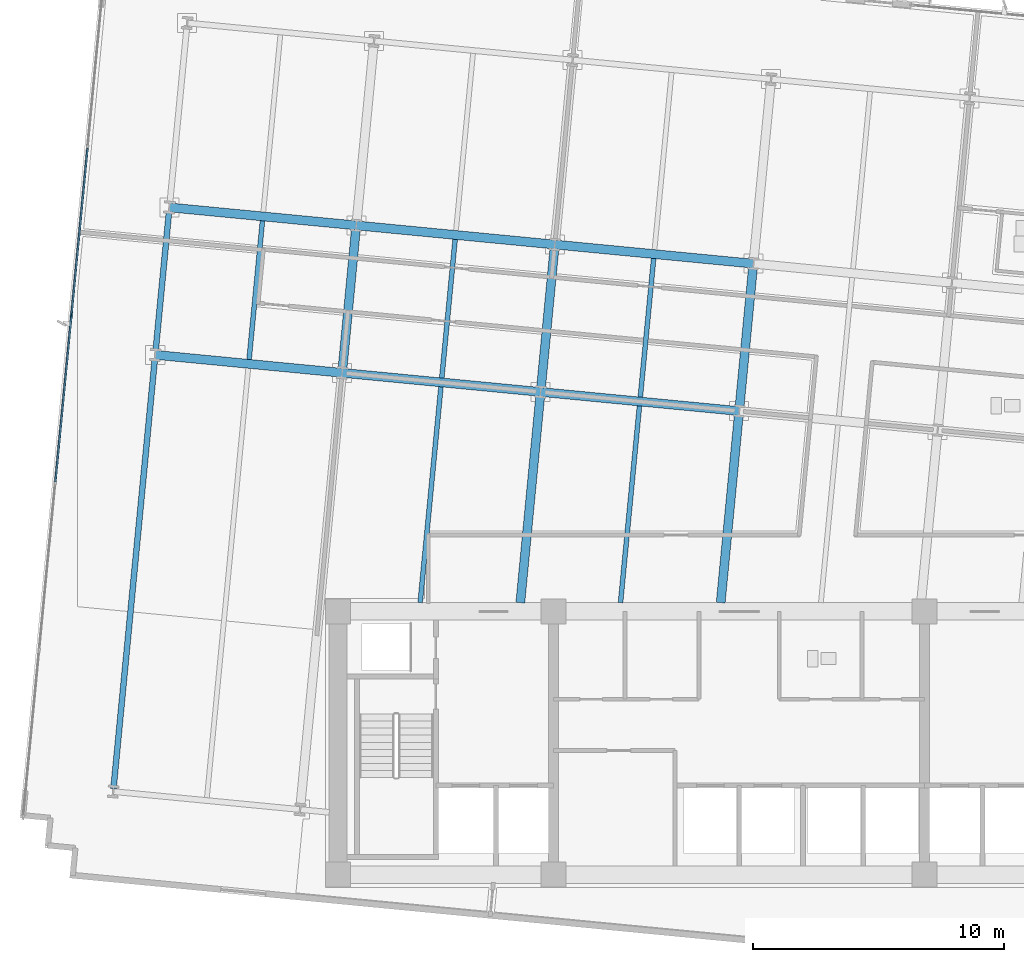
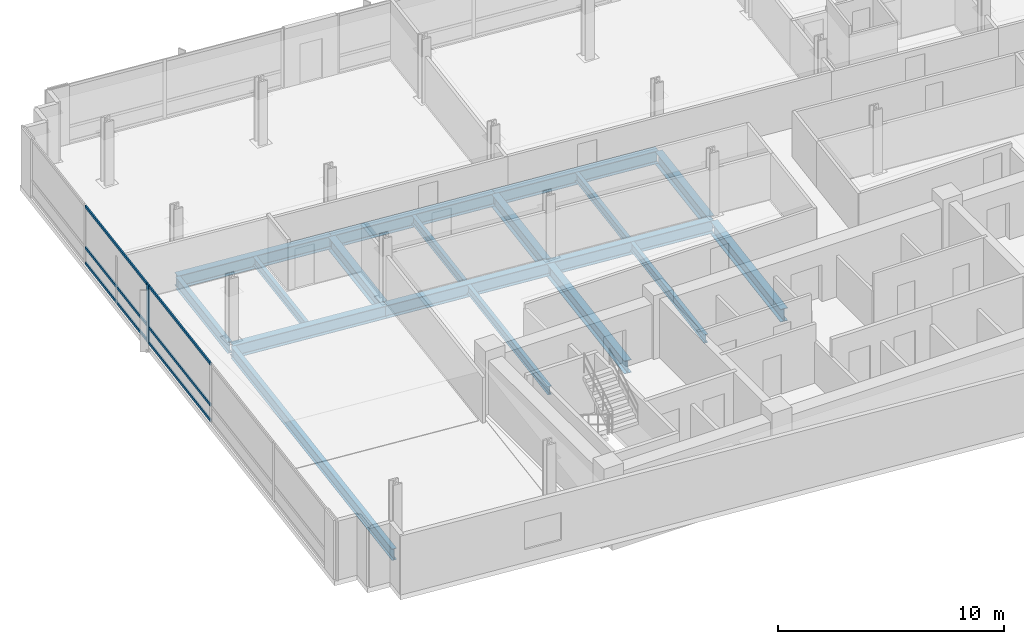
# One storey, part 4 of 17: 18 beams, 7 members, 1 element without a shape of its own.
"""IFC4 building model written with IfcOpenShell, lengths in metres."""

import ifcopenshell
import ifcopenshell.guid

model = None  # the IFC model being written
_history = None  # IfcOwnerHistory: only IFC2X3 demands one
_inside = {}  # id of a spatial element -> (the spatial element, [elements in it])
_under = {}  # id of a project, library or spatial element -> (it, [spatial elements below it])
_declared = {}  # id of a project -> (the project, [libraries it declares])
_typed = {}  # id of a type object -> (the type object, [elements of that type])
_made_of = {}  # id of a material, layer set ... -> (it, [elements and type objects made of it])


def new_model(schema):
    """Start an empty IFC model of exactly this schema.

    Asked for "IFC4X3", IfcOpenShell would pick the latest addendum, in which some entities
    have other attributes; the version numbers below select the first issue.
    IFC2X3 requires an IfcOwnerHistory on every rooted entity: one is made here for all.
    """
    global model, _history
    if schema == "IFC4X3":
        model = ifcopenshell.file(schema_version=(4, 3, 0, 0))
    else:
        model = ifcopenshell.file(schema=schema)
    _inside.clear()
    _under.clear()
    _declared.clear()
    _typed.clear()
    _made_of.clear()
    _history = None
    if model.schema == "IFC2X3":
        org = make("IfcOrganization", Name="unknown")
        user = make(
            "IfcPersonAndOrganization",
            ThePerson=make("IfcPerson", FamilyName="unknown"),
            TheOrganization=org,
        )
        app = make(
            "IfcApplication",
            ApplicationDeveloper=org,
            Version="unknown",
            ApplicationFullName="unknown",
            ApplicationIdentifier="unknown",
        )
        _history = make(
            "IfcOwnerHistory",
            OwningUser=user,
            OwningApplication=app,
            ChangeAction="ADDED",
            CreationDate=0,
        )
    return model


def make(cls, **values):
    """One entity of the class cls with the attributes given. An attribute that is None is left unset."""
    return model.create_entity(
        cls, **{name: value for name, value in values.items() if value is not None}
    )


def rooted(cls, **values):
    """An entity with a GlobalId (a new one), such as an element, a storey or a relation."""
    return make(cls, GlobalId=ifcopenshell.guid.new(), OwnerHistory=_history, **values)


def si_unit(unit_type, name, prefix=None):
    """IfcSIUnit, for example si_unit("LENGTHUNIT", "METRE", prefix="MILLI")."""
    return make("IfcSIUnit", UnitType=unit_type, Prefix=prefix, Name=name)


def assignment(units):
    """IfcUnitAssignment: the units of a project."""
    return None if units is None else make("IfcUnitAssignment", Units=units)


def point(xyz):
    """IfcCartesianPoint."""
    return None if xyz is None else make("IfcCartesianPoint", Coordinates=xyz)


def direction(xyz):
    """IfcDirection."""
    return None if xyz is None else make("IfcDirection", DirectionRatios=xyz)


def frame(location, z_axis=None, x_axis=None):
    """IfcAxis2Placement3D, a coordinate frame: its origin and axes. An axis left out is left unset."""
    return make(
        "IfcAxis2Placement3D",
        Location=point(location),
        Axis=direction(z_axis),
        RefDirection=direction(x_axis),
    )


def frame_2d(location, x_axis=None):
    """IfcAxis2Placement2D, a coordinate frame in the plane: its origin and x axis."""
    return make(
        "IfcAxis2Placement2D", Location=point(location), RefDirection=direction(x_axis)
    )


def origin():
    """The frame at (0, 0, 0) with its axes left unset."""
    return frame((0.0, 0.0, 0.0))


def origin_2d():
    """The frame at (0, 0) in the plane with its x axis left unset."""
    return frame_2d((0.0, 0.0))


def place(relative_to, where):
    """IfcLocalPlacement: puts the frame where relative to a parent placement (None: the world)."""
    return make(
        "IfcLocalPlacement", PlacementRelTo=relative_to, RelativePlacement=where
    )


def context(
    kind, dimensions, precision=None, world=None, true_north=None, identifier=None
):
    """IfcGeometricRepresentationContext, for example the 3D "Model" context."""
    return make(
        "IfcGeometricRepresentationContext",
        ContextIdentifier=identifier,
        ContextType=kind,
        CoordinateSpaceDimension=dimensions,
        Precision=precision,
        WorldCoordinateSystem=world,
        TrueNorth=true_north,
    )


def subcontext(parent, identifier, kind, view, scale=None):
    """IfcGeometricRepresentationSubContext, for example "Body" below "Model"."""
    return make(
        "IfcGeometricRepresentationSubContext",
        ContextIdentifier=identifier,
        ContextType=kind,
        ParentContext=parent,
        TargetScale=scale,
        TargetView=view,
    )


def project(units=None, contexts=None):
    """IfcProject with its units and contexts."""
    return rooted(
        "IfcProject",
        Name="project",
        RepresentationContexts=contexts,
        UnitsInContext=assignment(units),
    )


def spatial(cls, under=None, at=None, **own):
    """A site, building, storey or space (cls), placed at a placement, below another one or the project."""
    s = rooted(cls, ObjectPlacement=at, **own)
    if under is not None:
        _under.setdefault(under.id(), (under, []))[1].append(s)
    return s


def profile(cls, at=None, kind="AREA", **sizes):
    """A parametric profile (cls). Its sizes go by their IFC names, for example OverallWidth=200.0."""
    return make(cls, ProfileType=kind, Position=at, **sizes)


def rectangle(**sizes):
    """IfcRectangleProfileDef."""
    return profile("IfcRectangleProfileDef", **sizes)


def i_section(**sizes):
    """IfcIShapeProfileDef."""
    return profile("IfcIShapeProfileDef", **sizes)


def extrude(swept, where, along, depth):
    """IfcExtrudedAreaSolid: the profile swept, set in the frame where, extruded along a direction by depth."""
    return make(
        "IfcExtrudedAreaSolid",
        SweptArea=swept,
        Position=where,
        ExtrudedDirection=direction(along),
        Depth=depth,
    )


def shape(context_of_items, identifier, shape_type, items):
    """IfcShapeRepresentation: the items that make up one representation, for example the "Body"."""
    return make(
        "IfcShapeRepresentation",
        ContextOfItems=context_of_items,
        RepresentationIdentifier=identifier,
        RepresentationType=shape_type,
        Items=items,
    )


def material(Name=None, Category=None):
    """IfcMaterial."""
    return make("IfcMaterial", Name=Name, Category=Category)


def material_profile(
    of_material, cross_section, Name=None, Category=None, Priority=None
):
    """IfcMaterialProfile: a cross section and its material."""
    return make(
        "IfcMaterialProfile",
        Name=Name,
        Material=of_material,
        Profile=cross_section,
        Priority=Priority,
        Category=Category,
    )


def profile_set(profiles, Name=None, composite=None):
    """IfcMaterialProfileSet."""
    return make(
        "IfcMaterialProfileSet",
        Name=Name,
        MaterialProfiles=profiles,
        CompositeProfile=composite,
    )


def made_of(thing, what):
    """Note that an element or type object is made of a material, layer set ...; save() writes the relation."""
    if what is not None:
        _made_of.setdefault(what.id(), (what, []))[1].append(thing)
    return thing


def type_object(cls, material=None, **own):
    """A type object (cls), such as IfcWallType, which elements share."""
    return made_of(rooted(cls, **own), material)


def element(
    cls,
    number,
    at=None,
    inside=None,
    cuts=None,
    type_object=None,
    material=None,
    context=None,
    identifier="Body",
    shape_type=None,
    held_by="IfcProductDefinitionShape",
    body=None,
    shapes=None,
    **own,
):
    """One element of the class cls, such as IfcWall. Its Tag is "e" and its number.

    at: its placement. inside: the storey or other place that contains it. cuts: it is an
    opening in that element (IfcRelVoidsElement). A single representation is given by context,
    identifier, shape_type and body (its items); several are given by shapes. held_by: the class
    of the entity that holds the representations. save() writes the other relations.
    """
    e = rooted(cls, Tag="e%d" % number, ObjectPlacement=at, **own)
    if body is not None:
        shapes = [shape(context, identifier, shape_type, body)]
    if shapes is not None:
        e.Representation = make(held_by, Representations=shapes)
    if inside is not None:
        _inside.setdefault(inside.id(), (inside, []))[1].append(e)
    if cuts is not None:
        rooted(
            "IfcRelVoidsElement", RelatingBuildingElement=cuts, RelatedOpeningElement=e
        )
    if type_object is not None:
        _typed.setdefault(type_object.id(), (type_object, []))[1].append(e)
    return made_of(e, material)


def aggregate(whole, parts):
    """IfcRelAggregates: a whole, such as a stair, and the parts it consists of."""
    return rooted("IfcRelAggregates", RelatingObject=whole, RelatedObjects=parts)


def save(model, path):
    """Write the relations noted so far, then the file.

    IfcRelAggregates (storeys below a building ...), IfcRelContainedInSpatialStructure (elements
    in a storey), IfcRelDefinesByType, IfcRelAssociatesMaterial and IfcRelDeclares: one each for
    every whole, place, type object, material and project.
    """
    for whole, parts in _under.values():
        aggregate(whole, parts)
    for where, things in _inside.values():
        rooted(
            "IfcRelContainedInSpatialStructure",
            RelatedElements=things,
            RelatingStructure=where,
        )
    for kind, things in _typed.values():
        rooted("IfcRelDefinesByType", RelatedObjects=things, RelatingType=kind)
    for what, things in _made_of.values():
        rooted("IfcRelAssociatesMaterial", RelatedObjects=things, RelatingMaterial=what)
    for by, libraries in _declared.values():
        rooted("IfcRelDeclares", RelatingContext=by, RelatedDefinitions=libraries)
    model.write(path)


model = new_model("IFC4")

# Units and contexts
model_context = context("Model", 3, precision=1e-05, world=origin(), true_north=direction((0.0, 1.0)))
body_context = subcontext(model_context, "Body", "Model", "MODEL_VIEW")
ifc_project = project(units=[si_unit("LENGTHUNIT", "METRE"), si_unit("AREAUNIT", "SQUARE_METRE"), si_unit("VOLUMEUNIT", "CUBIC_METRE"), si_unit("PLANEANGLEUNIT", "RADIAN"), si_unit("MASSUNIT", "GRAM", prefix="KILO")], contexts=[model_context])

# Site, building, storey
site_placement = place(None, origin())
site = spatial("IfcSite", under=ifc_project, at=site_placement, CompositionType="ELEMENT")
building_placement = place(site_placement, origin())
building = spatial("IfcBuilding", under=site, at=building_placement, Name="Solmavex Isthmus Hotel", CompositionType="ELEMENT")
storey_placement = place(building_placement, frame((0.0, 0.0, 163.5)))
storey = spatial("IfcBuildingStorey", under=building, at=storey_placement, Name="L44", CompositionType="ELEMENT", Elevation=163.5)

# Beams
ifc_material_1 = material(Name="Steel ASTM A992 Grade 50", Category="steel")
ifc_material_profile_1 = material_profile(ifc_material_1, i_section(OverallWidth=0.354736328125, OverallDepth=0.695556640625, WebThickness=0.015380859375, FlangeThickness=0.02490234375, FilletRadius=0.017822265625, at=origin_2d()), Name="W27X146")
ifc_profile_set_1 = profile_set([ifc_material_profile_1], Name="Steel ASTM A992 Grade 50")
beam_type_1 = type_object("IfcBeamType", Name="BM-BG-W27X146", PredefinedType="BEAM", material=ifc_profile_set_1)
beam_1_placement = place(storey_placement, frame((-23.291015625, 7.733154296875, -0.607666015625), z_axis=(0.995395279593, -0.095855293875, 0.0), x_axis=(0.095855293875, 0.995395279593, 0.0)))
element("IfcBeam", 1, at=beam_1_placement, inside=storey, type_object=beam_type_1, Name="Floor Girder L44-UG03", PredefinedType="BEAM", context=body_context, shape_type="SweptSolid", body=[
    extrude(i_section(OverallWidth=0.354736328125, OverallDepth=0.695556640625, WebThickness=0.015380859375, FlangeThickness=0.02490234375, FilletRadius=0.017822265625, at=origin_2d()), origin(), (0.0, 0.0, 1.0), 7.488037109375),
])
beam_2_placement = place(storey_placement, frame((-15.83740234375, 7.015380859375, -0.607666015625), z_axis=(0.995397158178, -0.095835783981, 0.0), x_axis=(0.095835783981, 0.995397158178, 0.0)))
element("IfcBeam", 2, at=beam_2_placement, inside=storey, type_object=beam_type_1, Name="Floor Girder L44-UG04", PredefinedType="BEAM", context=body_context, shape_type="SweptSolid", body=[
    extrude(i_section(OverallWidth=0.354736328125, OverallDepth=0.695556640625, WebThickness=0.015380859375, FlangeThickness=0.02490234375, FilletRadius=0.017822265625, at=origin_2d()), origin(), (0.0, 0.0, 1.0), 7.955810546875),
])
beam_3_placement = place(storey_placement, frame((-7.918212890625, 6.2529296875, -0.607666015625), z_axis=(0.995394512348, -0.095863260885, 0.0), x_axis=(0.095863260885, 0.995394512348, 0.0)))
element("IfcBeam", 3, at=beam_3_placement, inside=storey, type_object=beam_type_1, Name="Floor Girder L44-UG05", PredefinedType="BEAM", context=body_context, shape_type="SweptSolid", body=[
    extrude(i_section(OverallWidth=0.354736328125, OverallDepth=0.695556640625, WebThickness=0.015380859375, FlangeThickness=0.02490234375, FilletRadius=0.017822265625, at=origin_2d()), origin(), (0.0, 0.0, 1.0), 7.9560546875),
])
beam_4_placement = place(storey_placement, frame((-22.724853515625, 13.614013671875, -0.607666015625), z_axis=(0.995395279593, -0.095855293875, 0.0), x_axis=(0.095855293875, 0.995395279593, 0.0)))
element("IfcBeam", 4, at=beam_4_placement, inside=storey, type_object=beam_type_1, Name="Floor Girder L44-UG09", PredefinedType="BEAM", context=body_context, shape_type="SweptSolid", body=[
    extrude(i_section(OverallWidth=0.354736328125, OverallDepth=0.695556640625, WebThickness=0.015380859375, FlangeThickness=0.02490234375, FilletRadius=0.017822265625, at=origin_2d()), origin(), (0.0, 0.0, 1.0), 7.488037109375),
])
for number, where, z_axis, x_axis, name in (
    (5, (-15.271240234375, 12.896240234375, -0.607666015625), (0.995397440011, -0.095832856685, 0.0), (0.095832856685, 0.995397440011, 0.0), "Floor Girder L44-UG10"),
    (6, (-7.351806640625, 12.1337890625, -0.607666015625), (0.995394512348, -0.095863260885, 0.0), (0.095863260885, 0.995394512348, 0.0), "Floor Girder L44-UG11"),
):
    element("IfcBeam", number, at=place(storey_placement, frame(where, z_axis=z_axis, x_axis=x_axis)), inside=storey, type_object=beam_type_1, Name=name, PredefinedType="BEAM", context=body_context, shape_type="SweptSolid", body=[
        extrude(i_section(OverallWidth=0.354736328125, OverallDepth=0.695556640625, WebThickness=0.015380859375, FlangeThickness=0.02490234375, FilletRadius=0.017822265625, at=origin_2d()), origin(), (0.0, 0.0, 1.0), 7.9560546875),
    ])
beam_5_placement = place(storey_placement, frame((-15.820556640625, 7.19189453125, -0.607666015625), z_axis=(0.095838058801, 0.995396939158, 0.0), x_axis=(-0.995396939158, 0.095838058801, 0.0)))
element("IfcBeam", 7, at=beam_5_placement, inside=storey, type_object=beam_type_1, Name="Floor Beam L44-VG25", PredefinedType="BEAM", context=body_context, shape_type="SweptSolid", body=[
    extrude(i_section(OverallWidth=0.354736328125, OverallDepth=0.695556640625, WebThickness=0.015380859375, FlangeThickness=0.02490234375, FilletRadius=0.017822265625, at=origin_2d()), origin(), (0.0, 0.0, 1.0), 5.553466796875),
])
beam_6_placement = place(storey_placement, frame((-8.727294921875, -2.14990234375, -0.607666015625), z_axis=(0.095861573524, 0.995394674851, 0.0), x_axis=(-0.995394674851, 0.095861573524, 0.0)))
element("IfcBeam", 8, at=beam_6_placement, inside=storey, type_object=beam_type_1, Name="Floor Beam L44-VG27", PredefinedType="BEAM", context=body_context, shape_type="SweptSolid", body=[
    extrude(i_section(OverallWidth=0.354736328125, OverallDepth=0.695556640625, WebThickness=0.015380859375, FlangeThickness=0.02490234375, FilletRadius=0.017822265625, at=origin_2d()), origin(), (0.0, 0.0, 1.0), 8.264404296875),
])
beam_7_placement = place(storey_placement, frame((-7.901123046875, 6.429443359375, -0.607666015625), z_axis=(0.095842252862, 0.99539653534, 0.0), x_axis=(-0.99539653534, 0.095842252862, 0.0)))
element("IfcBeam", 9, at=beam_7_placement, inside=storey, type_object=beam_type_1, Name="Floor Beam L44-VG28", PredefinedType="BEAM", context=body_context, shape_type="SweptSolid", body=[
    extrude(i_section(OverallWidth=0.354736328125, OverallDepth=0.695556640625, WebThickness=0.015380859375, FlangeThickness=0.02490234375, FilletRadius=0.017822265625, at=origin_2d()), origin(), (0.0, 0.0, 1.0), 5.55322265625),
])
beam_8_placement = place(storey_placement, frame((-0.734375, -2.14990234375, -0.607666015625), z_axis=(0.095856963455, 0.995395118813, 0.0), x_axis=(-0.995395118813, 0.095856963455, 0.0)))
element("IfcBeam", 10, at=beam_8_placement, inside=storey, type_object=beam_type_1, Name="Floor Beam L44-VG30", PredefinedType="BEAM", context=body_context, shape_type="SweptSolid", body=[
    extrude(i_section(OverallWidth=0.354736328125, OverallDepth=0.695556640625, WebThickness=0.015380859375, FlangeThickness=0.02490234375, FilletRadius=0.017822265625, at=origin_2d()), origin(), (0.0, 0.0, 1.0), 7.498046875),
])
beam_9_placement = place(storey_placement, frame((0.018310546875, 5.6669921875, -0.607666015625), z_axis=(0.095842252862, 0.99539653534, 0.0), x_axis=(-0.99539653534, 0.095842252862, 0.0)))
element("IfcBeam", 11, at=beam_9_placement, inside=storey, type_object=beam_type_1, Name="Floor Beam L44-VG31", PredefinedType="BEAM", context=body_context, shape_type="SweptSolid", body=[
    extrude(i_section(OverallWidth=0.354736328125, OverallDepth=0.695556640625, WebThickness=0.015380859375, FlangeThickness=0.02490234375, FilletRadius=0.017822265625, at=origin_2d()), origin(), (0.0, 0.0, 1.0), 5.55322265625),
])
ifc_material_profile_2 = material_profile(ifc_material_1, i_section(OverallWidth=0.1904296875, OverallDepth=0.456787109375, WebThickness=0.009033203125, FlangeThickness=0.014404296875, FilletRadius=0.0126953125, at=origin_2d()), Name="W18X50")
ifc_profile_set_2 = profile_set([ifc_material_profile_2], Name="Steel ASTM A992 Grade 50")
beam_type_2 = type_object("IfcBeamType", Name="BM-BJ-W18X50", PredefinedType="JOIST", material=ifc_profile_set_2)
beam_10_placement = place(storey_placement, frame((-19.547119140625, 7.55078125, -0.488525390625), z_axis=(0.095842252862, 0.99539653534, 0.0), x_axis=(-0.99539653534, 0.095842252862, 0.0)))
element("IfcBeam", 12, at=beam_10_placement, inside=storey, type_object=beam_type_2, Name="Secondary Floor Joist L44-J02", PredefinedType="JOIST", context=body_context, shape_type="SweptSolid", body=[
    extrude(i_section(OverallWidth=0.1904296875, OverallDepth=0.456787109375, WebThickness=0.009033203125, FlangeThickness=0.014404296875, FilletRadius=0.0126953125, at=origin_2d()), origin(), (0.0, 0.0, 1.0), 5.55322265625),
])
beam_11_placement = place(storey_placement, frame((-12.7236328125, -2.14990234375, -0.488525390625), z_axis=(0.095852279322, 0.995395569886, 0.0), x_axis=(-0.995395569886, 0.095852279322, 0.0)))
element("IfcBeam", 13, at=beam_11_placement, inside=storey, type_object=beam_type_2, Name="Secondary Floor Joist L44-J04", PredefinedType="JOIST", context=body_context, shape_type="SweptSolid", body=[
    extrude(i_section(OverallWidth=0.1904296875, OverallDepth=0.456787109375, WebThickness=0.009033203125, FlangeThickness=0.014404296875, FilletRadius=0.0126953125, at=origin_2d()), origin(), (0.0, 0.0, 1.0), 8.647216796875),
])
beam_12_placement = place(storey_placement, frame((-11.86083984375, 6.810791015625, -0.488525390625), z_axis=(0.095842252862, 0.99539653534, 0.0), x_axis=(-0.99539653534, 0.095842252862, 0.0)))
element("IfcBeam", 14, at=beam_12_placement, inside=storey, type_object=beam_type_2, Name="Secondary Floor Joist L44-J05", PredefinedType="JOIST", context=body_context, shape_type="SweptSolid", body=[
    extrude(i_section(OverallWidth=0.1904296875, OverallDepth=0.456787109375, WebThickness=0.009033203125, FlangeThickness=0.014404296875, FilletRadius=0.0126953125, at=origin_2d()), origin(), (0.0, 0.0, 1.0), 5.55322265625),
])
beam_13_placement = place(storey_placement, frame((-4.730712890625, -2.14990234375, -0.488525390625), z_axis=(0.09584403416, 0.995396363825, 0.0), x_axis=(-0.995396363825, 0.09584403416, 0.0)))
element("IfcBeam", 15, at=beam_13_placement, inside=storey, type_object=beam_type_2, Name="Secondary Floor Joist L44-J07", PredefinedType="JOIST", context=body_context, shape_type="SweptSolid", body=[
    extrude(i_section(OverallWidth=0.1904296875, OverallDepth=0.456787109375, WebThickness=0.009033203125, FlangeThickness=0.014404296875, FilletRadius=0.0126953125, at=origin_2d()), origin(), (0.0, 0.0, 1.0), 7.88134765625),
])
beam_14_placement = place(storey_placement, frame((-3.94140625, 6.048095703125, -0.488525390625), z_axis=(0.095838058801, 0.995396939158, 0.0), x_axis=(-0.995396939158, 0.095838058801, 0.0)))
element("IfcBeam", 16, at=beam_14_placement, inside=storey, type_object=beam_type_2, Name="Secondary Floor Joist L44-J08", PredefinedType="JOIST", context=body_context, shape_type="SweptSolid", body=[
    extrude(i_section(OverallWidth=0.1904296875, OverallDepth=0.456787109375, WebThickness=0.009033203125, FlangeThickness=0.014404296875, FilletRadius=0.0126953125, at=origin_2d()), origin(), (0.0, 0.0, 1.0), 5.553466796875),
])
ifc_material_profile_3 = material_profile(ifc_material_1, i_section(OverallWidth=0.230224609375, OverallDepth=0.617431640625, WebThickness=0.01318359375, FlangeThickness=0.022216796875, FilletRadius=0.01513671875, at=origin_2d()), Name="W24X94")
ifc_profile_set_3 = profile_set([ifc_material_profile_3], Name="Steel ASTM A992 Grade 50")
beam_type_3 = type_object("IfcBeamType", Name="BM-SP-W24X94", PredefinedType="SPANDREL", material=ifc_profile_set_3)
beam_15_placement = place(storey_placement, frame((-24.957275390625, -9.571533203125, -0.56884765625), z_axis=(0.095840821687, 0.99539667314, 0.0), x_axis=(-0.99539667314, 0.095840821687, 0.0)))
element("IfcBeam", 17, at=beam_15_placement, inside=storey, type_object=beam_type_3, Name="Floor Beam L44-VG21", PredefinedType="SPANDREL", context=body_context, shape_type="SweptSolid", body=[
    extrude(i_section(OverallWidth=0.230224609375, OverallDepth=0.617431640625, WebThickness=0.01318359375, FlangeThickness=0.022216796875, FilletRadius=0.01513671875, at=origin_2d()), origin(), (0.0, 0.0, 1.0), 17.207275390625),
])
beam_16_placement = place(storey_placement, frame((-23.27392578125, 7.90966796875, -0.56884765625), z_axis=(0.095842252862, 0.99539653534, 0.0), x_axis=(-0.99539653534, 0.095842252862, 0.0)))
element("IfcBeam", 18, at=beam_16_placement, inside=storey, type_object=beam_type_3, Name="Floor Beam L44-VG22", PredefinedType="SPANDREL", context=body_context, shape_type="SweptSolid", body=[
    extrude(i_section(OverallWidth=0.230224609375, OverallDepth=0.617431640625, WebThickness=0.01318359375, FlangeThickness=0.022216796875, FilletRadius=0.01513671875, at=origin_2d()), origin(), (0.0, 0.0, 1.0), 5.55322265625),
])

# Curtain wall, members
ifc_material_2 = material(Name="Aluminium alloy 6063-T6", Category="aluminium")
curtain_wall_type = type_object("IfcCurtainWallType", Name="CW-SYS-03", PredefinedType="NOTDEFINED", material=ifc_material_2)
curtain_wall_placement = place(storey_placement, origin())
curtain_wall = element("IfcCurtainWall", 19, at=curtain_wall_placement, inside=storey, type_object=curtain_wall_type, Name="Stick Curtain Wall CWL-L44-W1", PredefinedType="NOTDEFINED")
ifc_material_profile_4 = material_profile(ifc_material_2, rectangle(XDim=0.070068359375, YDim=0.179931640625, at=origin_2d()), Name="CWM-70X180")
ifc_profile_set_4 = profile_set([ifc_material_profile_4], Name="Aluminium alloy 6063-T6")
member_type_1 = type_object("IfcMemberType", Name="CW-SYS-03-MUL", PredefinedType="MULLION", material=ifc_profile_set_4)
member_1_placement = place(storey_placement, frame((-26.63427734375, 9.32080078125, 0.0), z_axis=(0.0, 0.0, 1.0), x_axis=(-0.995396190038, 0.09584583902, 0.0)))
member_1 = element("IfcMember", 20, at=member_1_placement, type_object=member_type_1, Name="CW-03 mullion 4", PredefinedType="MULLION", context=body_context, shape_type="SweptSolid", body=[
    extrude(rectangle(XDim=0.070068359375, YDim=0.179931640625, at=origin_2d()), origin(), (0.0, 0.0, 1.0), 3.18994140625),
])
ifc_material_profile_5 = material_profile(ifc_material_2, rectangle(XDim=0.070068359375, YDim=0.139892578125, at=origin_2d()), Name="CWT-70X140")
ifc_profile_set_5 = profile_set([ifc_material_profile_5], Name="Aluminium alloy 6063-T6")
member_type_2 = type_object("IfcMemberType", Name="CW-SYS-03-TRN", PredefinedType="USERDEFINED", material=ifc_profile_set_5)
member_2_placement = place(storey_placement, frame((-27.27490234375, 2.666748046875, 0.070068359375), z_axis=(0.095857212138, 0.995395094865, 0.0), x_axis=(-0.995395094865, 0.095857212138, 0.0)))
member_2 = element("IfcMember", 21, at=member_2_placement, type_object=member_type_2, Name="CW-03 transom 3.1", ObjectType="TRANSOM", PredefinedType="USERDEFINED", context=body_context, shape_type="SweptSolid", body=[
    extrude(rectangle(XDim=0.070068359375, YDim=0.139892578125, at=origin_2d()), origin(), (0.0, 0.0, 1.0), 6.64990234375),
])
member_3_placement = place(storey_placement, frame((-27.27490234375, 2.666748046875, 0.89990234375), z_axis=(0.095857212138, 0.995395094865, 0.0), x_axis=(-0.995395094865, 0.095857212138, 0.0)))
member_3 = element("IfcMember", 22, at=member_3_placement, type_object=member_type_2, Name="CW-03 transom 3.2", ObjectType="TRANSOM", PredefinedType="USERDEFINED", context=body_context, shape_type="SweptSolid", body=[
    extrude(rectangle(XDim=0.070068359375, YDim=0.139892578125, at=origin_2d()), origin(), (0.0, 0.0, 1.0), 6.64990234375),
])
member_4_placement = place(storey_placement, frame((-27.27490234375, 2.666748046875, 3.1201171875), z_axis=(0.095857212138, 0.995395094865, 0.0), x_axis=(-0.995395094865, 0.095857212138, 0.0)))
member_4 = element("IfcMember", 23, at=member_4_placement, type_object=member_type_2, Name="CW-03 transom 3.3", ObjectType="TRANSOM", PredefinedType="USERDEFINED", context=body_context, shape_type="SweptSolid", body=[
    extrude(rectangle(XDim=0.070068359375, YDim=0.139892578125, at=origin_2d()), origin(), (0.0, 0.0, 1.0), 6.64990234375),
])
member_5_placement = place(storey_placement, frame((-26.630859375, 9.355712890625, 0.070068359375), z_axis=(0.095857212138, 0.995395094865, 0.0), x_axis=(-0.995395094865, 0.095857212138, 0.0)))
member_5 = element("IfcMember", 24, at=member_5_placement, type_object=member_type_2, Name="CW-03 transom 4.1", ObjectType="TRANSOM", PredefinedType="USERDEFINED", context=body_context, shape_type="SweptSolid", body=[
    extrude(rectangle(XDim=0.070068359375, YDim=0.139892578125, at=origin_2d()), origin(), (0.0, 0.0, 1.0), 6.64990234375),
])
member_6_placement = place(storey_placement, frame((-26.630859375, 9.355712890625, 0.89990234375), z_axis=(0.095857212138, 0.995395094865, 0.0), x_axis=(-0.995395094865, 0.095857212138, 0.0)))
member_6 = element("IfcMember", 25, at=member_6_placement, type_object=member_type_2, Name="CW-03 transom 4.2", ObjectType="TRANSOM", PredefinedType="USERDEFINED", context=body_context, shape_type="SweptSolid", body=[
    extrude(rectangle(XDim=0.070068359375, YDim=0.139892578125, at=origin_2d()), origin(), (0.0, 0.0, 1.0), 6.64990234375),
])
member_7_placement = place(storey_placement, frame((-26.630859375, 9.355712890625, 3.1201171875), z_axis=(0.095857212138, 0.995395094865, 0.0), x_axis=(-0.995395094865, 0.095857212138, 0.0)))
member_7 = element("IfcMember", 26, at=member_7_placement, type_object=member_type_2, Name="CW-03 transom 4.3", ObjectType="TRANSOM", PredefinedType="USERDEFINED", context=body_context, shape_type="SweptSolid", body=[
    extrude(rectangle(XDim=0.070068359375, YDim=0.139892578125, at=origin_2d()), origin(), (0.0, 0.0, 1.0), 6.64990234375),
])
aggregate(curtain_wall, [member_1, member_2, member_3, member_4, member_5, member_6, member_7])

save(model, "model.ifc")
